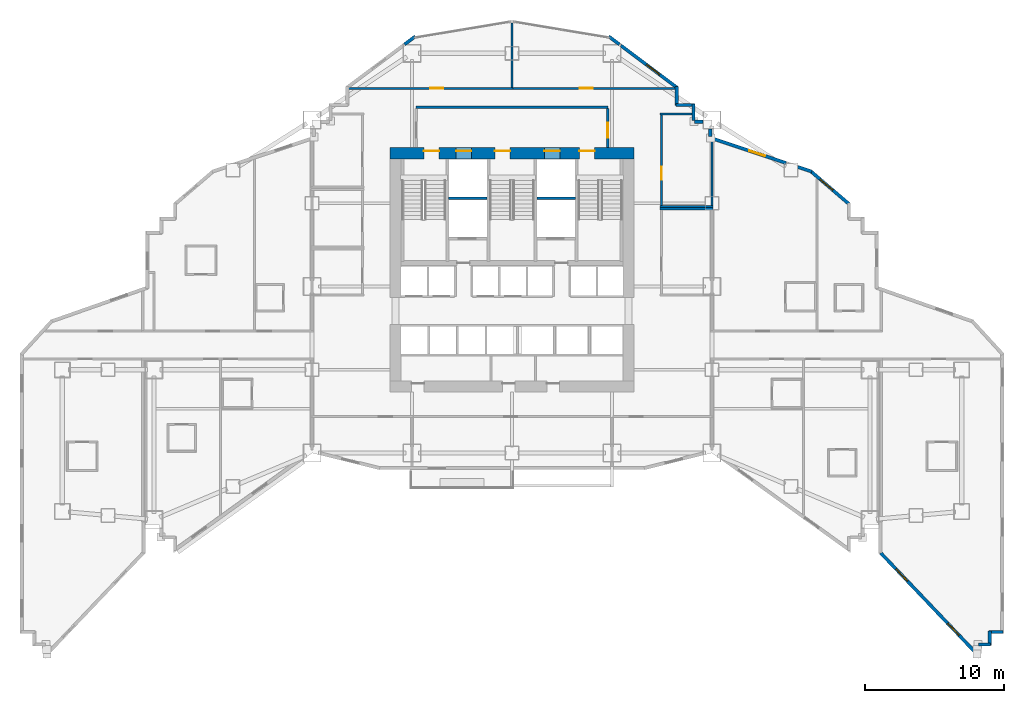
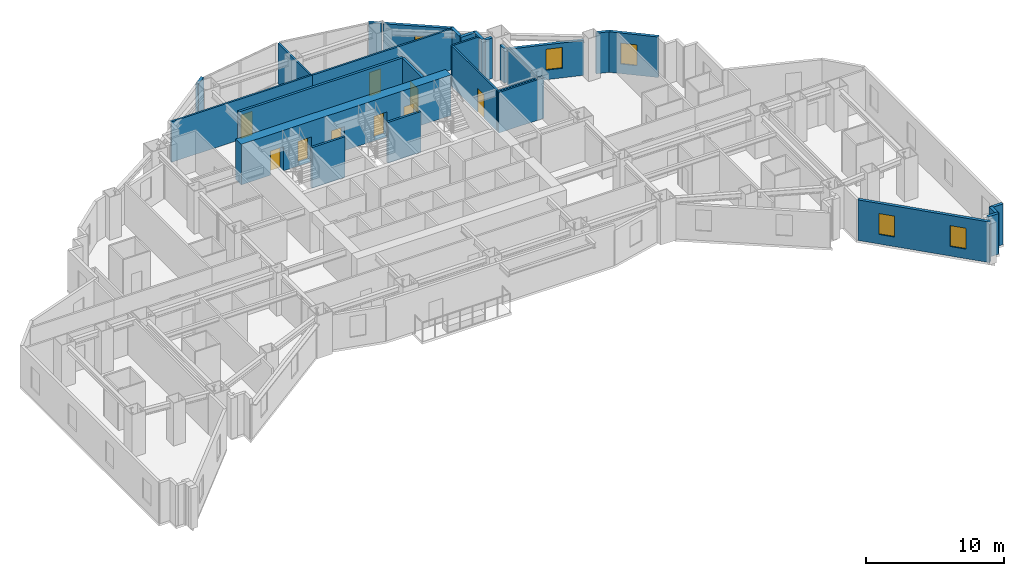
# One storey, part 11 of 17: 28 walls, 9 doors, 5 windows, 14 openings.
"""IFC4 building model written with IfcOpenShell, lengths in metres."""

from ifc_helpers import new_model, si_unit, direction, frame, frame_2d, origin, place, context, subcontext, project, spatial, rectangle, extrude, material, layer, layer_set, type_object, element, fill, save


model = new_model("IFC4")

# Units and contexts
model_context = context("Model", 3, precision=1e-05, world=origin(), true_north=direction((0.0, 1.0)))
body_context = subcontext(model_context, "Body", "Model", "MODEL_VIEW")
ifc_project = project(units=[si_unit("LENGTHUNIT", "METRE"), si_unit("AREAUNIT", "SQUARE_METRE"), si_unit("VOLUMEUNIT", "CUBIC_METRE"), si_unit("PLANEANGLEUNIT", "RADIAN"), si_unit("MASSUNIT", "GRAM", prefix="KILO")], contexts=[model_context])

# Site, building, storey
site_placement = place(None, origin())
site = spatial("IfcSite", under=ifc_project, at=site_placement, CompositionType="ELEMENT")
building_placement = place(site_placement, origin())
building = spatial("IfcBuilding", under=site, at=building_placement, Name="Haolan Belvedere Tower", CompositionType="ELEMENT")
storey_placement = place(building_placement, frame((0.0, 0.0, 31.60009765625)))
storey = spatial("IfcBuildingStorey", under=building, at=storey_placement, Name="L07", CompositionType="ELEMENT", Elevation=31.60009765625)

# Wall, openings, doors
ifc_material_1 = material(Name="Concrete C70/85", Category="concrete")
ifc_layer_1 = layer(ifc_material_1, 0.800048828125, Name="Concrete C70/85")
ifc_layer_set_1 = layer_set([ifc_layer_1], Name="Concrete C70/85")
wall_type_1 = type_object("IfcWallType", Name="WL-CORE-800", PredefinedType="SHEAR", material=ifc_layer_set_1)
wall_1_placement = place(storey_placement, frame((29.60009765625, 43.199951171875, 0.0), z_axis=(0.0, 0.0, 1.0), x_axis=(1.0, 0.0, 0.0)))
wall_1 = element("IfcWall", 1, at=wall_1_placement, inside=storey, type_object=wall_type_1, Name="L07 central core north shear wall", PredefinedType="SHEAR", context=body_context, shape_type="SweptSolid", body=[
    extrude(rectangle(XDim=17.599853515625, YDim=0.800048828125, at=frame_2d((8.7998046875, 0.0))), origin(), (0.0, 0.0, 1.0), 3.599853515625),
])
opening_1_placement = place(wall_1_placement, frame((2.449951171875, 0.0, 0.0)))
opening_1 = element("IfcOpeningElement", 2, at=opening_1_placement, cuts=wall_1, Name="Opening FD-03", PredefinedType="OPENING", context=body_context, shape_type="SweptSolid", body=[
    extrude(rectangle(XDim=1.10009765625, YDim=2.14990234375, at=frame_2d((0.550048828125, 1.074951171875))), frame((0.0, 0.409912109375, 0.0), z_axis=(0.0, -1.0, 0.0), x_axis=(1.0, 0.0, 0.0)), (0.0, 0.0, 1.0), 0.820068359375),
])
opening_2_placement = place(wall_1_placement, frame((7.56005859375, 0.0, 0.0)))
opening_2 = element("IfcOpeningElement", 3, at=opening_2_placement, cuts=wall_1, Name="Opening FD-03", PredefinedType="OPENING", context=body_context, shape_type="SweptSolid", body=[
    extrude(rectangle(XDim=1.10009765625, YDim=2.14990234375, at=frame_2d((0.550048828125, 1.074951171875))), frame((0.0, 0.409912109375, 0.0), z_axis=(0.0, -1.0, 0.0), x_axis=(1.0, 0.0, 0.0)), (0.0, 0.0, 1.0), 0.820068359375),
])
opening_3_placement = place(wall_1_placement, frame((13.64990234375, 0.0, 0.0)))
opening_3 = element("IfcOpeningElement", 4, at=opening_3_placement, cuts=wall_1, Name="Opening FD-03", PredefinedType="OPENING", context=body_context, shape_type="SweptSolid", body=[
    extrude(rectangle(XDim=1.10009765625, YDim=2.14990234375, at=frame_2d((0.550048828125, 1.074951171875))), frame((0.0, 0.409912109375, 0.0), z_axis=(0.0, -1.0, 0.0), x_axis=(1.0, 0.0, 0.0)), (0.0, 0.0, 1.0), 0.820068359375),
])
opening_4_placement = place(wall_1_placement, frame((4.780029296875, 0.0, 0.0)))
opening_4 = element("IfcOpeningElement", 5, at=opening_4_placement, cuts=wall_1, Name="Opening LD-01", PredefinedType="OPENING", context=body_context, shape_type="SweptSolid", body=[
    extrude(rectangle(XDim=1.10009765625, YDim=2.199951171875, at=frame_2d((0.550048828125, 1.10009765625))), frame((0.0, 0.409912109375, 0.0), z_axis=(0.0, -1.0, 0.0), x_axis=(1.0, 0.0, 0.0)), (0.0, 0.0, 1.0), 0.820068359375),
])
opening_5_placement = place(wall_1_placement, frame((11.139892578125, 0.0, 0.0)))
opening_5 = element("IfcOpeningElement", 6, at=opening_5_placement, cuts=wall_1, Name="Opening LD-01", PredefinedType="OPENING", context=body_context, shape_type="SweptSolid", body=[
    extrude(rectangle(XDim=1.10009765625, YDim=2.199951171875, at=frame_2d((0.550048828125, 1.10009765625))), frame((0.0, 0.409912109375, 0.0), z_axis=(0.0, -1.0, 0.0), x_axis=(1.0, 0.0, 0.0)), (0.0, 0.0, 1.0), 0.820068359375),
])
ifc_material_2 = material(Name="Galvanised fire-rated steel", Category="steel")
door_type_1 = type_object("IfcDoorType", Name="DR-FD90-1100", OperationType="NOTDEFINED", PredefinedType="DOOR", material=ifc_material_2)
door_1_placement = place(opening_1_placement, origin())
door_1 = element("IfcDoor", 7, at=door_1_placement, inside=storey, type_object=door_type_1, Name="L07 door CD-L07-ST1", OperationType="SINGLE_SWING_LEFT", OverallHeight=2.14990234375, OverallWidth=1.10009765625, PredefinedType="DOOR", context=body_context, shape_type="SweptSolid", body=[
    extrude(rectangle(XDim=1.10009765625, YDim=2.14990234375, at=frame_2d((0.550048828125, 1.074951171875))), frame((0.0, 0.18505859375, 0.0), z_axis=(0.0, -1.0, 0.0), x_axis=(1.0, 0.0, 0.0)), (0.0, 0.0, 1.0), 0.050048828125),
])
fill(opening_1, door_1)
door_2_placement = place(opening_2_placement, origin())
door_2 = element("IfcDoor", 8, at=door_2_placement, inside=storey, type_object=door_type_1, Name="L07 door CD-L07-ST3", OperationType="SINGLE_SWING_LEFT", OverallHeight=2.14990234375, OverallWidth=1.10009765625, PredefinedType="DOOR", context=body_context, shape_type="SweptSolid", body=[
    extrude(rectangle(XDim=1.10009765625, YDim=2.14990234375, at=frame_2d((0.550048828125, 1.074951171875))), frame((0.0, 0.18505859375, 0.0), z_axis=(0.0, -1.0, 0.0), x_axis=(1.0, 0.0, 0.0)), (0.0, 0.0, 1.0), 0.050048828125),
])
fill(opening_2, door_2)
door_3_placement = place(opening_3_placement, origin())
door_3 = element("IfcDoor", 9, at=door_3_placement, inside=storey, type_object=door_type_1, Name="L07 door CD-L07-ST2", OperationType="SINGLE_SWING_RIGHT", OverallHeight=2.14990234375, OverallWidth=1.10009765625, PredefinedType="DOOR", context=body_context, shape_type="SweptSolid", body=[
    extrude(rectangle(XDim=1.10009765625, YDim=2.14990234375, at=frame_2d((0.550048828125, 1.074951171875))), frame((0.0, 0.18505859375, 0.0), z_axis=(0.0, -1.0, 0.0), x_axis=(1.0, 0.0, 0.0)), (0.0, 0.0, 1.0), 0.050048828125),
])
fill(opening_3, door_3)
ifc_material_3 = material(Name="Brushed champagne stainless steel 316L", Category="steel")
door_type_2 = type_object("IfcDoorType", Name="DR-LIFT-1100", OperationType="SLIDING_TO_LEFT", PredefinedType="DOOR", material=ifc_material_3)
door_4_placement = place(opening_4_placement, origin())
door_4 = element("IfcDoor", 10, at=door_4_placement, inside=storey, type_object=door_type_2, Name="L07 door LD-L07-FF1", OperationType="SLIDING_TO_LEFT", OverallHeight=2.199951171875, OverallWidth=1.10009765625, PredefinedType="DOOR", context=body_context, shape_type="SweptSolid", body=[
    extrude(rectangle(XDim=1.10009765625, YDim=2.199951171875, at=frame_2d((0.550048828125, 1.10009765625))), frame((0.0, 0.18505859375, 0.0), z_axis=(0.0, -1.0, 0.0), x_axis=(1.0, 0.0, 0.0)), (0.0, 0.0, 1.0), 0.050048828125),
])
fill(opening_4, door_4)
door_5_placement = place(opening_5_placement, origin())
door_5 = element("IfcDoor", 11, at=door_5_placement, inside=storey, type_object=door_type_2, Name="L07 door LD-L07-FF2", OperationType="SLIDING_TO_LEFT", OverallHeight=2.199951171875, OverallWidth=1.10009765625, PredefinedType="DOOR", context=body_context, shape_type="SweptSolid", body=[
    extrude(rectangle(XDim=1.10009765625, YDim=2.199951171875, at=frame_2d((0.550048828125, 1.10009765625))), frame((0.0, 0.18505859375, 0.0), z_axis=(0.0, -1.0, 0.0), x_axis=(1.0, 0.0, 0.0)), (0.0, 0.0, 1.0), 0.050048828125),
])
fill(opening_5, door_5)

# Wall, openings, windows
ifc_material_4 = material(Name="Precast concrete C40/50", Category="concrete")
ifc_layer_2 = layer(ifc_material_4, 0.239990234375, Name="Precast concrete C40/50")
ifc_layer_set_2 = layer_set([ifc_layer_2], Name="Precast concrete C40/50")
wall_type_2 = type_object("IfcWallType", Name="WL-EXT-240", PredefinedType="SOLIDWALL", material=ifc_layer_set_2)
wall_2_placement = place(storey_placement, frame((64.96484375, 14.40087890625, 0.0), z_axis=(0.0, 0.0, 1.0), x_axis=(0.689367491845, -0.724411803594, 0.0)))
wall_2 = element("IfcWall", 12, at=wall_2_placement, inside=storey, type_object=wall_type_2, Name="L07 pale-metal exterior spandrel wall 21.1", PredefinedType="SOLIDWALL", context=body_context, shape_type="SweptSolid", body=[
    extrude(rectangle(XDim=10.004150390625, YDim=0.239990234375, at=frame_2d((5.001953125, 0.0))), origin(), (0.0, 0.0, 1.0), 3.599853515625),
])
opening_6_placement = place(wall_2_placement, frame((1.60009765625, 0.0, 0.85009765625)))
opening_6 = element("IfcOpeningElement", 13, at=opening_6_placement, cuts=wall_2, Name="Opening W-01", PredefinedType="OPENING", context=body_context, shape_type="SweptSolid", body=[
    extrude(rectangle(XDim=1.199951171875, YDim=1.85009765625, at=frame_2d((0.60009765625, 0.925048828125))), frame((0.0, 0.1298828125, 0.0), z_axis=(0.0, -1.0, 0.0), x_axis=(1.0, 0.0, 0.0)), (0.0, 0.0, 1.0), 0.260009765625),
])
opening_7_placement = place(wall_2_placement, frame((7.0, 0.0, 0.85009765625)))
opening_7 = element("IfcOpeningElement", 14, at=opening_7_placement, cuts=wall_2, Name="Opening W-01", PredefinedType="OPENING", context=body_context, shape_type="SweptSolid", body=[
    extrude(rectangle(XDim=1.199951171875, YDim=1.85009765625, at=frame_2d((0.60009765625, 0.925048828125))), frame((0.0, 0.1298828125, 0.0), z_axis=(0.0, -1.0, 0.0), x_axis=(1.0, 0.0, 0.0)), (0.0, 0.0, 1.0), 0.260009765625),
])
ifc_material_5 = material(Name="Anodised aluminium 6063-T6 and Low-E glass", Category="aluminium")
window_type = type_object("IfcWindowType", Name="WN-DECO-Z1", PartitioningType="SINGLE_PANEL", PredefinedType="WINDOW", material=ifc_material_5)
window_1_placement = place(opening_6_placement, origin())
window_1 = element("IfcWindow", 15, at=window_1_placement, inside=storey, type_object=window_type, Name="L07 Art Deco chevron window 1", OverallHeight=1.85009765625, OverallWidth=1.199951171875, PartitioningType="SINGLE_PANEL", PredefinedType="WINDOW", context=body_context, shape_type="SweptSolid", body=[
    extrude(rectangle(XDim=1.199951171875, YDim=1.85009765625, at=frame_2d((0.60009765625, 0.925048828125))), frame((0.0, 0.030029296875, 0.0), z_axis=(0.0, -1.0, 0.0), x_axis=(1.0, 0.0, 0.0)), (0.0, 0.0, 1.0), 0.06005859375),
])
fill(opening_6, window_1)
window_2_placement = place(opening_7_placement, origin())
window_2 = element("IfcWindow", 16, at=window_2_placement, inside=storey, type_object=window_type, Name="L07 Art Deco chevron window 2", OverallHeight=1.85009765625, OverallWidth=1.199951171875, PartitioningType="SINGLE_PANEL", PredefinedType="WINDOW", context=body_context, shape_type="SweptSolid", body=[
    extrude(rectangle(XDim=1.199951171875, YDim=1.85009765625, at=frame_2d((0.60009765625, 0.925048828125))), frame((0.0, 0.030029296875, 0.0), z_axis=(0.0, -1.0, 0.0), x_axis=(1.0, 0.0, 0.0)), (0.0, 0.0, 1.0), 0.06005859375),
])
fill(opening_7, window_2)

# Walls
wall_3_placement = place(storey_placement, frame((72.0048828125, 7.81201171875, 0.0), z_axis=(0.0, 0.0, 1.0), x_axis=(1.0, 0.0, 0.0)))
element("IfcWall", 17, at=wall_3_placement, inside=storey, type_object=wall_type_2, Name="L07 pale-metal exterior spandrel wall 23.1", PredefinedType="SOLIDWALL", context=body_context, shape_type="SweptSolid", body=[
    extrude(rectangle(XDim=0.8701171875, YDim=0.239990234375, at=frame_2d((0.43505859375, 0.0))), origin(), (0.0, 0.0, 1.0), 3.599853515625),
])
for number, where, z_axis, x_axis, name in (
    (18, (72.820068359375, 7.757080078125, 0.0), (0.0, 0.0, 1.0), (0.0, 1.0, 0.0), "L07 pale-metal exterior spandrel wall 24.1"),
    (19, (72.764892578125, 8.7119140625, 0.0), (0.0, 0.0, 1.0), (1.0, 0.0, 0.0), "L07 pale-metal exterior spandrel wall 25.1"),
):
    element("IfcWall", number, at=place(storey_placement, frame(where, z_axis=z_axis, x_axis=x_axis)), inside=storey, type_object=wall_type_2, Name=name, PredefinedType="SOLIDWALL", context=body_context, shape_type="SweptSolid", body=[
        extrude(rectangle(XDim=1.010009765625, YDim=0.239990234375, at=frame_2d((0.5048828125, 0.0))), origin(), (0.0, 0.0, 1.0), 3.599853515625),
    ])

# Wall, opening, window
wall_4_placement = place(storey_placement, frame((62.7216796875, 39.509033203125, 0.0), z_axis=(0.0, 0.0, 1.0), x_axis=(-0.759247334792, 0.650802185469, 0.0)))
wall_4 = element("IfcWall", 20, at=wall_4_placement, inside=storey, type_object=wall_type_2, Name="L07 pale-metal exterior spandrel wall 34.1", PredefinedType="SOLIDWALL", context=body_context, shape_type="SweptSolid", body=[
    extrude(rectangle(XDim=3.71923828125, YDim=0.239990234375, at=frame_2d((1.859619140625, 0.0))), origin(), (0.0, 0.0, 1.0), 3.599853515625),
])
opening_8_placement = place(wall_4_placement, frame((1.585693359375, 0.0, 0.85009765625)))
opening_8 = element("IfcOpeningElement", 21, at=opening_8_placement, cuts=wall_4, Name="Opening W-01", PredefinedType="OPENING", context=body_context, shape_type="SweptSolid", body=[
    extrude(rectangle(XDim=1.199951171875, YDim=1.85009765625, at=frame_2d((0.60009765625, 0.925048828125))), frame((0.0, 0.1298828125, 0.0), z_axis=(0.0, -1.0, 0.0), x_axis=(1.0, 0.0, 0.0)), (0.0, 0.0, 1.0), 0.260009765625),
])
window_3_placement = place(opening_8_placement, origin())
window_3 = element("IfcWindow", 22, at=window_3_placement, inside=storey, type_object=window_type, Name="L07 Art Deco chevron window 1", OverallHeight=1.85009765625, OverallWidth=1.199951171875, PartitioningType="SINGLE_PANEL", PredefinedType="WINDOW", context=body_context, shape_type="SweptSolid", body=[
    extrude(rectangle(XDim=1.199951171875, YDim=1.85009765625, at=frame_2d((0.60009765625, 0.925048828125))), frame((0.0, 0.030029296875, 0.0), z_axis=(0.0, -1.0, 0.0), x_axis=(1.0, 0.0, 0.0)), (0.0, 0.0, 1.0), 0.06005859375),
])
fill(opening_8, window_3)

# Wall
wall_5_placement = place(storey_placement, frame((59.991943359375, 41.876220703125, 0.0), z_axis=(0.0, 0.0, 1.0), x_axis=(-0.948706457285, 0.316158279832, 0.0)))
element("IfcWall", 23, at=wall_5_placement, inside=storey, type_object=wall_type_2, Name="L07 pale-metal exterior spandrel wall 35.1", PredefinedType="SOLIDWALL", context=body_context, shape_type="SweptSolid", body=[
    extrude(rectangle(XDim=1.053955078125, YDim=0.239990234375, at=frame_2d((0.52685546875, 0.0))), origin(), (0.0, 0.0, 1.0), 3.599853515625),
])

# Wall, opening, window
wall_6_placement = place(storey_placement, frame((58.14453125, 42.491943359375, 0.0), z_axis=(0.0, 0.0, 1.0), x_axis=(-0.948683298051, 0.316227766017, 0.0)))
wall_6 = element("IfcWall", 24, at=wall_6_placement, inside=storey, type_object=wall_type_2, Name="L07 pale-metal exterior spandrel wall 35.2", PredefinedType="SOLIDWALL", context=body_context, shape_type="SweptSolid", body=[
    extrude(rectangle(XDim=5.67529296875, YDim=0.239990234375, at=frame_2d((2.837646484375, 0.0))), origin(), (0.0, 0.0, 1.0), 3.096923828125),
])
opening_9_placement = place(wall_6_placement, frame((1.60009765625, 0.0, 0.85009765625)))
opening_9 = element("IfcOpeningElement", 25, at=opening_9_placement, cuts=wall_6, Name="Opening W-01", PredefinedType="OPENING", context=body_context, shape_type="SweptSolid", body=[
    extrude(rectangle(XDim=1.199951171875, YDim=1.85009765625, at=frame_2d((0.60009765625, 0.925048828125))), frame((0.0, 0.1298828125, 0.0), z_axis=(0.0, -1.0, 0.0), x_axis=(1.0, 0.0, 0.0)), (0.0, 0.0, 1.0), 0.260009765625),
])
window_4_placement = place(opening_9_placement, origin())
window_4 = element("IfcWindow", 26, at=window_4_placement, inside=storey, type_object=window_type, Name="L07 Art Deco chevron window 1", OverallHeight=1.85009765625, OverallWidth=1.199951171875, PartitioningType="SINGLE_PANEL", PredefinedType="WINDOW", context=body_context, shape_type="SweptSolid", body=[
    extrude(rectangle(XDim=1.199951171875, YDim=1.85009765625, at=frame_2d((0.60009765625, 0.925048828125))), frame((0.0, 0.030029296875, 0.0), z_axis=(0.0, -1.0, 0.0), x_axis=(1.0, 0.0, 0.0)), (0.0, 0.0, 1.0), 0.06005859375),
])
fill(opening_9, window_4)

# Walls
wall_7_placement = place(storey_placement, frame((52.679931640625, 44.3984375, 0.0), z_axis=(0.0, 0.0, 1.0), x_axis=(0.0, 1.0, 0.0)))
element("IfcWall", 27, at=wall_7_placement, inside=storey, type_object=wall_type_2, Name="L07 pale-metal exterior spandrel wall 36.1", PredefinedType="SOLIDWALL", context=body_context, shape_type="SweptSolid", body=[
    extrude(rectangle(XDim=0.5595703125, YDim=0.239990234375, at=frame_2d((0.27978515625, 0.0))), origin(), (0.0, 0.0, 1.0), 3.096923828125),
])
wall_8_placement = place(storey_placement, frame((52.157958984375, 45.47998046875, 0.0), z_axis=(0.0, 0.0, 1.0), x_axis=(-1.0, 0.0, 0.0)))
element("IfcWall", 28, at=wall_8_placement, inside=storey, type_object=wall_type_2, Name="L07 pale-metal exterior spandrel wall 37.1", PredefinedType="SOLIDWALL", context=body_context, shape_type="SweptSolid", body=[
    extrude(rectangle(XDim=0.593017578125, YDim=0.239990234375, at=frame_2d((0.29638671875, 0.0))), origin(), (0.0, 0.0, 1.0), 3.599853515625),
])
wall_9_placement = place(storey_placement, frame((51.47998046875, 45.56494140625, 0.0), z_axis=(0.0, 0.0, 1.0), x_axis=(0.0, 1.0, 0.0)))
element("IfcWall", 29, at=wall_9_placement, inside=storey, type_object=wall_type_2, Name="L07 pale-metal exterior spandrel wall 38.1", PredefinedType="SOLIDWALL", context=body_context, shape_type="SweptSolid", body=[
    extrude(rectangle(XDim=1.170166015625, YDim=0.239990234375, at=frame_2d((0.5849609375, 0.0))), origin(), (0.0, 0.0, 1.0), 3.599853515625),
])
wall_10_placement = place(storey_placement, frame((51.534912109375, 46.679931640625, 0.0), z_axis=(0.0, 0.0, 1.0), x_axis=(-1.0, 0.0, 0.0)))
element("IfcWall", 30, at=wall_10_placement, inside=storey, type_object=wall_type_2, Name="L07 pale-metal exterior spandrel wall 39.1", PredefinedType="SOLIDWALL", context=body_context, shape_type="SweptSolid", body=[
    extrude(rectangle(XDim=1.309814453125, YDim=0.239990234375, at=frame_2d((0.65478515625, 0.0))), origin(), (0.0, 0.0, 1.0), 3.599853515625),
])
wall_11_placement = place(storey_placement, frame((50.280029296875, 46.625, 0.0), z_axis=(0.0, 0.0, 1.0), x_axis=(0.0, 1.0, 0.0)))
element("IfcWall", 31, at=wall_11_placement, inside=storey, type_object=wall_type_2, Name="L07 pale-metal exterior spandrel wall 40.1", PredefinedType="SOLIDWALL", context=body_context, shape_type="SweptSolid", body=[
    extrude(rectangle(XDim=1.3701171875, YDim=0.239990234375, at=frame_2d((0.68505859375, 0.0))), origin(), (0.0, 0.0, 1.0), 3.599853515625),
])

# Wall, opening, window
wall_12_placement = place(storey_placement, frame((50.323974609375, 47.906982421875, 0.0), z_axis=(0.0, 0.0, 1.0), x_axis=(-0.8, 0.6, 0.0)))
wall_12 = element("IfcWall", 32, at=wall_12_placement, inside=storey, type_object=wall_type_2, Name="L07 pale-metal exterior spandrel wall 41.1", PredefinedType="SOLIDWALL", context=body_context, shape_type="SweptSolid", body=[
    extrude(rectangle(XDim=5.1025390625, YDim=0.239990234375, at=frame_2d((2.55126953125, 0.0))), origin(), (0.0, 0.0, 1.0), 3.599853515625),
])
opening_10_placement = place(wall_12_placement, frame((1.60009765625, 0.0, 0.85009765625)))
opening_10 = element("IfcOpeningElement", 33, at=opening_10_placement, cuts=wall_12, Name="Opening W-01", PredefinedType="OPENING", context=body_context, shape_type="SweptSolid", body=[
    extrude(rectangle(XDim=1.199951171875, YDim=1.85009765625, at=frame_2d((0.60009765625, 0.925048828125))), frame((0.0, 0.1298828125, 0.0), z_axis=(0.0, -1.0, 0.0), x_axis=(1.0, 0.0, 0.0)), (0.0, 0.0, 1.0), 0.260009765625),
])
window_5_placement = place(opening_10_placement, origin())
window_5 = element("IfcWindow", 34, at=window_5_placement, inside=storey, type_object=window_type, Name="L07 Art Deco chevron window 1", OverallHeight=1.85009765625, OverallWidth=1.199951171875, PartitioningType="SINGLE_PANEL", PredefinedType="WINDOW", context=body_context, shape_type="SweptSolid", body=[
    extrude(rectangle(XDim=1.199951171875, YDim=1.85009765625, at=frame_2d((0.60009765625, 0.925048828125))), frame((0.0, 0.030029296875, 0.0), z_axis=(0.0, -1.0, 0.0), x_axis=(1.0, 0.0, 0.0)), (0.0, 0.0, 1.0), 0.06005859375),
])
fill(opening_10, window_5)

# Walls
wall_13_placement = place(storey_placement, frame((46.143798828125, 51.0419921875, 0.0), z_axis=(0.0, 0.0, 1.0), x_axis=(-0.8, 0.6, 0.0)))
element("IfcWall", 35, at=wall_13_placement, inside=storey, type_object=wall_type_2, Name="L07 pale-metal exterior spandrel wall 41.2", PredefinedType="SOLIDWALL", context=body_context, shape_type="SweptSolid", body=[
    extrude(rectangle(XDim=0.965576171875, YDim=0.239990234375, at=frame_2d((0.48291015625, 0.0))), origin(), (0.0, 0.0, 1.0), 3.599853515625),
])
wall_14_placement = place(storey_placement, frame((31.4287109375, 51.621337890625, 0.0), z_axis=(0.0, 0.0, 1.0), x_axis=(-0.800090996409, -0.599878652284, 0.0)))
element("IfcWall", 36, at=wall_14_placement, inside=storey, type_object=wall_type_2, Name="L07 pale-metal exterior spandrel wall 44.1", PredefinedType="SOLIDWALL", context=body_context, shape_type="SweptSolid", body=[
    extrude(rectangle(XDim=0.9658203125, YDim=0.239990234375, at=frame_2d((0.48291015625, 0.0))), origin(), (0.0, 0.0, 1.0), 3.599853515625),
])
ifc_material_6 = material(Name="Concrete C40/50", Category="concrete")
ifc_layer_3 = layer(ifc_material_6, 0.199951171875, Name="Concrete C40/50")
ifc_layer_set_3 = layer_set([ifc_layer_3], Name="Concrete C40/50")
wall_type_3 = type_object("IfcWallType", Name="WL-FIRE-200", PredefinedType="SOLIDWALL", material=ifc_layer_set_3)
wall_15_placement = place(storey_placement, frame((31.5, 46.52001953125, 0.0), z_axis=(0.0, 0.0, 1.0), x_axis=(1.0, 0.0, 0.0)))
element("IfcWall", 37, at=wall_15_placement, inside=storey, type_object=wall_type_3, Name="L07 interior partition IW-L07-FFL-N", PredefinedType="SOLIDWALL", context=body_context, shape_type="SweptSolid", body=[
    extrude(rectangle(XDim=13.800048828125, YDim=0.199951171875, at=frame_2d((6.89990234375, 0.0))), origin(), (0.0, 0.0, 1.0), 3.599853515625),
])

# Wall, opening, door
wall_16_placement = place(storey_placement, frame((45.300048828125, 43.60009765625, 0.0), z_axis=(0.0, 0.0, 1.0), x_axis=(0.0, 1.0, 0.0)))
wall_16 = element("IfcWall", 38, at=wall_16_placement, inside=storey, type_object=wall_type_3, Name="L07 interior partition IW-L07-FFL-E", PredefinedType="SOLIDWALL", context=body_context, shape_type="SweptSolid", body=[
    extrude(rectangle(XDim=2.8349609375, YDim=0.199951171875, at=frame_2d((1.41748046875, 0.0))), origin(), (0.0, 0.0, 1.0), 3.599853515625),
])
opening_11_placement = place(wall_16_placement, frame((0.699951171875, 0.0, 0.0)))
opening_11 = element("IfcOpeningElement", 39, at=opening_11_placement, cuts=wall_16, Name="Opening FD-03", PredefinedType="OPENING", context=body_context, shape_type="SweptSolid", body=[
    extrude(rectangle(XDim=1.10009765625, YDim=2.14990234375, at=frame_2d((0.550048828125, 1.074951171875))), frame((0.0, 0.10986328125, 0.0), z_axis=(0.0, -1.0, 0.0), x_axis=(1.0, 0.0, 0.0)), (0.0, 0.0, 1.0), 0.219970703125),
])
door_6_placement = place(opening_11_placement, origin())
door_6 = element("IfcDoor", 40, at=door_6_placement, inside=storey, type_object=door_type_1, Name="L07 door ID-L07-FFL-DE", OperationType="SINGLE_SWING_RIGHT", OverallHeight=2.14990234375, OverallWidth=1.10009765625, PredefinedType="DOOR", context=body_context, shape_type="SweptSolid", body=[
    extrude(rectangle(XDim=1.10009765625, YDim=2.14990234375, at=frame_2d((0.550048828125, 1.074951171875))), frame((0.0, 0.02490234375, 0.0), z_axis=(0.0, -1.0, 0.0), x_axis=(1.0, 0.0, 0.0)), (0.0, 0.0, 1.0), 0.050048828125),
])
fill(opening_11, door_6)

# Walls
ifc_material_7 = material(Name="Double gypsum acoustic stud partition", Category="masonry")
ifc_layer_4 = layer(ifc_material_7, 0.14990234375, Name="Double gypsum acoustic stud partition")
ifc_layer_set_4 = layer_set([ifc_layer_4], Name="Double gypsum acoustic stud partition")
wall_type_4 = type_object("IfcWallType", Name="WL-PART-150", PredefinedType="PARTITIONING", material=ifc_layer_set_4)
wall_17_placement = place(storey_placement, frame((49.080078125, 39.199951171875, 0.0), z_axis=(0.0, 0.0, 1.0), x_axis=(1.0, 0.0, 0.0)))
element("IfcWall", 41, at=wall_17_placement, inside=storey, type_object=wall_type_4, Name="L07 interior partition IW-L07-HSK-N", PredefinedType="PARTITIONING", context=body_context, shape_type="SweptSolid", body=[
    extrude(rectangle(XDim=3.7998046875, YDim=0.14990234375, at=frame_2d((1.89990234375, 0.0))), origin(), (0.0, 0.0, 1.0), 3.599853515625),
])
wall_18_placement = place(storey_placement, frame((49.080078125, 46.02001953125, 0.0), z_axis=(0.0, 0.0, 1.0), x_axis=(1.0, 0.0, 0.0)))
element("IfcWall", 42, at=wall_18_placement, inside=storey, type_object=wall_type_4, Name="L07 interior partition IW-L07-MTG-N", PredefinedType="PARTITIONING", context=body_context, shape_type="SweptSolid", body=[
    extrude(rectangle(XDim=2.294921875, YDim=0.14990234375, at=frame_2d((1.1474609375, 0.0))), origin(), (0.0, 0.0, 1.0), 3.599853515625),
])
wall_19_placement = place(storey_placement, frame((49.080078125, 39.360107421875, 0.0), z_axis=(0.0, 0.0, 1.0), x_axis=(1.0, 0.0, 0.0)))
element("IfcWall", 43, at=wall_19_placement, inside=storey, type_object=wall_type_4, Name="L07 interior partition IW-L07-MTG-S", PredefinedType="PARTITIONING", context=body_context, shape_type="SweptSolid", body=[
    extrude(rectangle(XDim=3.7998046875, YDim=0.14990234375, at=frame_2d((1.89990234375, 0.0))), origin(), (0.0, 0.0, 1.0), 3.599853515625),
])

# Wall, opening, door
wall_20_placement = place(storey_placement, frame((49.159912109375, 39.419921875, 0.0), z_axis=(0.0, 0.0, 1.0), x_axis=(0.0, 1.0, 0.0)))
wall_20 = element("IfcWall", 44, at=wall_20_placement, inside=storey, type_object=wall_type_4, Name="L07 interior partition IW-L07-MTG-W", PredefinedType="PARTITIONING", context=body_context, shape_type="SweptSolid", body=[
    extrude(rectangle(XDim=6.5400390625, YDim=0.14990234375, at=frame_2d((3.27001953125, 0.0))), origin(), (0.0, 0.0, 1.0), 3.599853515625),
])
opening_12_placement = place(wall_20_placement, frame((1.860107421875, 0.0, 0.0)))
opening_12 = element("IfcOpeningElement", 45, at=opening_12_placement, cuts=wall_20, Name="Opening ID-03", PredefinedType="OPENING", context=body_context, shape_type="SweptSolid", body=[
    extrude(rectangle(XDim=0.949951171875, YDim=2.1201171875, at=frame_2d((0.47509765625, 1.06005859375))), frame((0.0, 0.0849609375, 0.0), z_axis=(0.0, -1.0, 0.0), x_axis=(1.0, 0.0, 0.0)), (0.0, 0.0, 1.0), 0.169921875),
])
ifc_material_8 = material(Name="Painted solid-core timber", Category="wood")
door_type_3 = type_object("IfcDoorType", Name="DR-INT-950", OperationType="NOTDEFINED", PredefinedType="DOOR", material=ifc_material_8)
door_7_placement = place(opening_12_placement, origin())
door_7 = element("IfcDoor", 46, at=door_7_placement, inside=storey, type_object=door_type_3, Name="L07 door ID-L07-MTG", OperationType="SINGLE_SWING_LEFT", OverallHeight=2.1201171875, OverallWidth=0.949951171875, PredefinedType="DOOR", context=body_context, shape_type="SweptSolid", body=[
    extrude(rectangle(XDim=0.949951171875, YDim=2.1201171875, at=frame_2d((0.47509765625, 1.06005859375))), frame((0.0, 0.02490234375, 0.0), z_axis=(0.0, -1.0, 0.0), x_axis=(1.0, 0.0, 0.0)), (0.0, 0.0, 1.0), 0.050048828125),
])
fill(opening_12, door_7)

# Wall
wall_21_placement = place(storey_placement, frame((52.800048828125, 39.419921875, 0.0), z_axis=(0.0, 0.0, 1.0), x_axis=(0.0, 1.0, 0.0)))
element("IfcWall", 47, at=wall_21_placement, inside=storey, type_object=wall_type_4, Name="L07 interior partition IW-L07-MTG-E", PredefinedType="PARTITIONING", context=body_context, shape_type="SweptSolid", body=[
    extrude(rectangle(XDim=4.742919921875, YDim=0.14990234375, at=frame_2d((2.37158203125, 0.0))), origin(), (0.0, 0.0, 1.0), 3.096923828125),
])

# Wall, opening, door
wall_22_placement = place(storey_placement, frame((26.625, 47.8798828125, 0.0), z_axis=(0.0, 0.0, 1.0), x_axis=(1.0, 0.0, 0.0)))
wall_22 = element("IfcWall", 48, at=wall_22_placement, inside=storey, type_object=wall_type_4, Name="L07 interior partition IW-L07-KN1-S", PredefinedType="PARTITIONING", context=body_context, shape_type="SweptSolid", body=[
    extrude(rectangle(XDim=11.85498046875, YDim=0.14990234375, at=frame_2d((5.927490234375, 0.0))), origin(), (0.0, 0.0, 1.0), 3.599853515625),
])
opening_13_placement = place(wall_22_placement, frame((5.8701171875, 0.0, 0.0)))
opening_13 = element("IfcOpeningElement", 49, at=opening_13_placement, cuts=wall_22, Name="Opening ID-03", PredefinedType="OPENING", context=body_context, shape_type="SweptSolid", body=[
    extrude(rectangle(XDim=0.949951171875, YDim=2.1201171875, at=frame_2d((0.47509765625, 1.06005859375))), frame((0.0, 0.0849609375, 0.0), z_axis=(0.0, -1.0, 0.0), x_axis=(1.0, 0.0, 0.0)), (0.0, 0.0, 1.0), 0.169921875),
])
door_8_placement = place(opening_13_placement, origin())
door_8 = element("IfcDoor", 50, at=door_8_placement, inside=storey, type_object=door_type_3, Name="L07 door ID-L07-KN1", OperationType="SINGLE_SWING_RIGHT", OverallHeight=2.1201171875, OverallWidth=0.949951171875, PredefinedType="DOOR", context=body_context, shape_type="SweptSolid", body=[
    extrude(rectangle(XDim=0.949951171875, YDim=2.1201171875, at=frame_2d((0.47509765625, 1.06005859375))), frame((0.0, 0.02490234375, 0.0), z_axis=(0.0, -1.0, 0.0), x_axis=(1.0, 0.0, 0.0)), (0.0, 0.0, 1.0), 0.050048828125),
])
fill(opening_13, door_8)

# Wall
wall_23_placement = place(storey_placement, frame((38.39990234375, 47.93994140625, 0.0), z_axis=(0.0, 0.0, 1.0), x_axis=(0.0, 1.0, 0.0)))
element("IfcWall", 51, at=wall_23_placement, inside=storey, type_object=wall_type_4, Name="L07 interior partition IW-L07-KN1-E", PredefinedType="PARTITIONING", context=body_context, shape_type="SweptSolid", body=[
    extrude(rectangle(XDim=4.645263671875, YDim=0.14990234375, at=frame_2d((2.32275390625, 0.0))), origin(), (0.0, 0.0, 1.0), 3.599853515625),
])

# Wall, opening, door
wall_24_placement = place(storey_placement, frame((38.48193359375, 47.8798828125, 0.0), z_axis=(0.0, 0.0, 1.0), x_axis=(1.0, 0.0, 0.0)))
wall_24 = element("IfcWall", 52, at=wall_24_placement, inside=storey, type_object=wall_type_4, Name="L07 interior partition IW-L07-KN2-S", PredefinedType="PARTITIONING", context=body_context, shape_type="SweptSolid", body=[
    extrude(rectangle(XDim=11.693115234375, YDim=0.14990234375, at=frame_2d((5.8466796875, 0.0))), origin(), (0.0, 0.0, 1.0), 3.599853515625),
])
opening_14_placement = place(wall_24_placement, frame((4.79296875, 0.0, 0.0)))
opening_14 = element("IfcOpeningElement", 53, at=opening_14_placement, cuts=wall_24, Name="Opening ID-03", PredefinedType="OPENING", context=body_context, shape_type="SweptSolid", body=[
    extrude(rectangle(XDim=0.949951171875, YDim=2.1201171875, at=frame_2d((0.47509765625, 1.06005859375))), frame((0.0, 0.0849609375, 0.0), z_axis=(0.0, -1.0, 0.0), x_axis=(1.0, 0.0, 0.0)), (0.0, 0.0, 1.0), 0.169921875),
])
door_9_placement = place(opening_14_placement, origin())
door_9 = element("IfcDoor", 54, at=door_9_placement, inside=storey, type_object=door_type_3, Name="L07 door ID-L07-KN2", OperationType="SINGLE_SWING_LEFT", OverallHeight=2.1201171875, OverallWidth=0.949951171875, PredefinedType="DOOR", context=body_context, shape_type="SweptSolid", body=[
    extrude(rectangle(XDim=0.949951171875, YDim=2.1201171875, at=frame_2d((0.47509765625, 1.06005859375))), frame((0.0, 0.02490234375, 0.0), z_axis=(0.0, -1.0, 0.0), x_axis=(1.0, 0.0, 0.0)), (0.0, 0.0, 1.0), 0.050048828125),
])
fill(opening_14, door_9)

# Walls
ifc_layer_5 = layer(ifc_material_4, 0.179931640625, Name="Precast concrete C40/50")
ifc_layer_set_5 = layer_set([ifc_layer_5], Name="Precast concrete C40/50")
wall_type_5 = type_object("IfcWallType", Name="WL-SHAFT-180", PredefinedType="SOLIDWALL", material=ifc_layer_set_5)
for number, where, z_axis, x_axis, name in (
    (55, (33.8349609375, 39.949951171875, 0.0), (0.0, 0.0, 1.0), (1.0, 0.0, 0.0), "L07 interior partition IW-L07-FF1-S"),
    (56, (40.195068359375, 39.949951171875, 0.0), (0.0, 0.0, 1.0), (1.0, 0.0, 0.0), "L07 interior partition IW-L07-FF2-S"),
):
    element("IfcWall", number, at=place(storey_placement, frame(where, z_axis=z_axis, x_axis=x_axis)), inside=storey, type_object=wall_type_5, Name=name, PredefinedType="SOLIDWALL", context=body_context, shape_type="SweptSolid", body=[
        extrude(rectangle(XDim=2.77001953125, YDim=0.179931640625, at=frame_2d((1.385009765625, 0.0))), origin(), (0.0, 0.0, 1.0), 3.599853515625),
    ])

save(model, "model.ifc")
